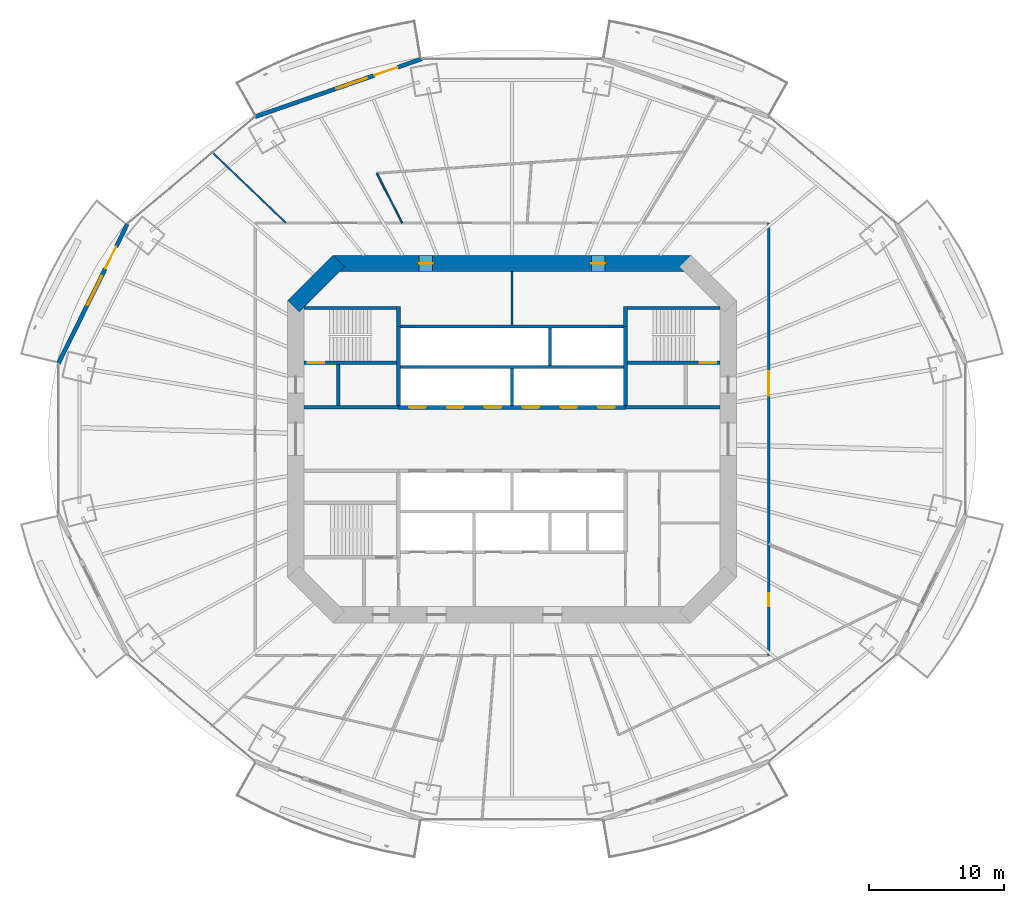
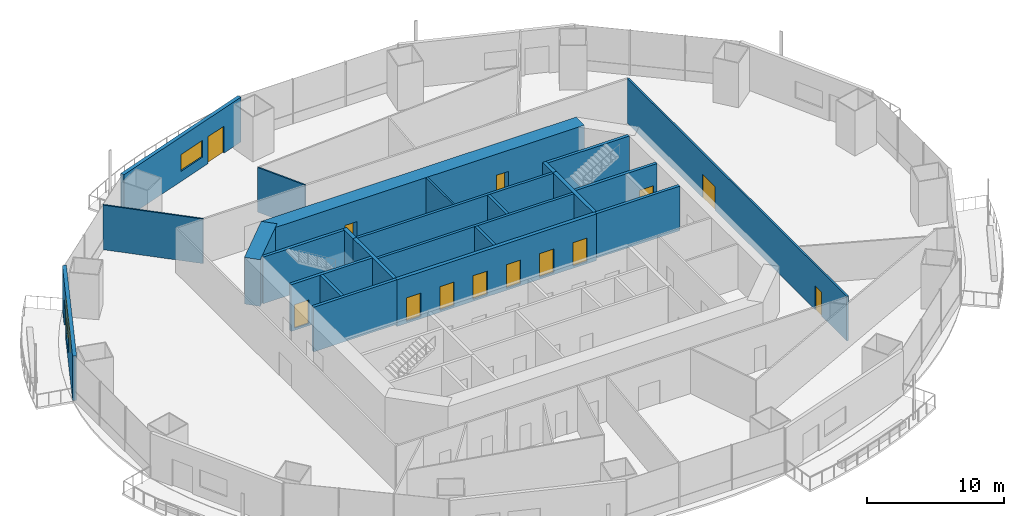
# One storey, part 15 of 22: 24 walls, 14 doors, 2 windows, 16 openings.
"""IFC4 building model written with IfcOpenShell, lengths in metres."""

from ifc_helpers import new_model, si_unit, direction, frame, frame_2d, origin, place, context, subcontext, project, spatial, rectangle, extrude, material, layer, layer_set, type_object, element, fill, save


model = new_model("IFC4")

# Units and contexts
model_context = context("Model", 3, precision=1e-05, world=origin(), true_north=direction((0.0, 1.0)))
body_context = subcontext(model_context, "Body", "Model", "MODEL_VIEW")
ifc_project = project(units=[si_unit("LENGTHUNIT", "METRE"), si_unit("AREAUNIT", "SQUARE_METRE"), si_unit("VOLUMEUNIT", "CUBIC_METRE"), si_unit("PLANEANGLEUNIT", "RADIAN"), si_unit("MASSUNIT", "GRAM", prefix="KILO")], contexts=[model_context])

# Site, building, storey
site_placement = place(None, origin())
site = spatial("IfcSite", under=ifc_project, at=site_placement, CompositionType="ELEMENT")
building_placement = place(site_placement, origin())
building = spatial("IfcBuilding", under=site, at=building_placement, Name="Marenthal Gate Tower", CompositionType="ELEMENT")
storey_placement = place(building_placement, frame((0.0, 0.0, 111.85009765625)))
storey = spatial("IfcBuildingStorey", under=building, at=storey_placement, Name="L23", CompositionType="ELEMENT", Elevation=111.85009765625)

# Wall, openings, doors
ifc_material_1 = material(Name="Concrete 60 MPa", Category="concrete")
ifc_layer_1 = layer(ifc_material_1, 1.199951171875)
ifc_layer_set_1 = layer_set([ifc_layer_1], Name="Core shear wall 1200")
wall_type_1 = type_object("IfcWallType", Name="Core shear wall 1200", PredefinedType="SHEAR", material=ifc_layer_set_1)
wall_1_placement = place(storey_placement, frame((13.24853515625, 13.0, -0.18017578125), z_axis=(0.0, 0.0, 1.0), x_axis=(-1.0, 0.0, 0.0)))
wall_1 = element("IfcWall", 1, at=wall_1_placement, inside=storey, type_object=wall_type_1, Name="Core wall 04", PredefinedType="SHEAR", context=body_context, shape_type="SweptSolid", body=[
    extrude(rectangle(XDim=26.4970703125, YDim=1.199951171875, at=frame_2d((13.24853515625, 0.0))), origin(), (0.0, 0.0, 1.0), 4.150146484375),
])
opening_1_placement = place(wall_1_placement, frame((19.12451171875, 0.0, 0.179931640625)))
opening_1 = element("IfcOpeningElement", 2, at=opening_1_placement, cuts=wall_1, Name="Opening D005.01", PredefinedType="OPENING", context=body_context, shape_type="SweptSolid", body=[
    extrude(rectangle(XDim=1.0, YDim=2.10009765625, at=frame_2d((0.5, 1.050048828125))), frame((0.0, 0.60986328125, 0.0), z_axis=(0.0, -1.0, 0.0), x_axis=(1.0, 0.0, 0.0)), (0.0, 0.0, 1.0), 1.219970703125),
])
opening_2_placement = place(wall_1_placement, frame((6.37255859375, 0.0, 0.179931640625)))
opening_2 = element("IfcOpeningElement", 3, at=opening_2_placement, cuts=wall_1, Name="Opening D005.02", PredefinedType="OPENING", context=body_context, shape_type="SweptSolid", body=[
    extrude(rectangle(XDim=1.0, YDim=2.10009765625, at=frame_2d((0.5, 1.050048828125))), frame((0.0, 0.60986328125, 0.0), z_axis=(0.0, -1.0, 0.0), x_axis=(1.0, 0.0, 0.0)), (0.0, 0.0, 1.0), 1.219970703125),
])
ifc_material_2 = material(Name="Steel fire door", Category="steel")
door_type_1 = type_object("IfcDoorType", Name="Fire door FD 45 1000 x 2100", OperationType="NOTDEFINED", PredefinedType="DOOR", material=ifc_material_2)
door_1_placement = place(opening_1_placement, origin())
door_1 = element("IfcDoor", 4, at=door_1_placement, inside=storey, type_object=door_type_1, Name="Door D005.01", OperationType="SINGLE_SWING_RIGHT", OverallHeight=2.10009765625, OverallWidth=1.0, PredefinedType="DOOR", context=body_context, shape_type="SweptSolid", body=[
    extrude(rectangle(XDim=1.0, YDim=2.10009765625, at=frame_2d((0.5, 1.050048828125))), frame((0.0, 0.02490234375, 0.0), z_axis=(0.0, -1.0, 0.0), x_axis=(1.0, 0.0, 0.0)), (0.0, 0.0, 1.0), 0.050048828125),
])
fill(opening_1, door_1)
door_2_placement = place(opening_2_placement, origin())
door_2 = element("IfcDoor", 5, at=door_2_placement, inside=storey, type_object=door_type_1, Name="Door D005.02", OperationType="SINGLE_SWING_RIGHT", OverallHeight=2.10009765625, OverallWidth=1.0, PredefinedType="DOOR", context=body_context, shape_type="SweptSolid", body=[
    extrude(rectangle(XDim=1.0, YDim=2.10009765625, at=frame_2d((0.5, 1.050048828125))), frame((0.0, 0.02490234375, 0.0), z_axis=(0.0, -1.0, 0.0), x_axis=(1.0, 0.0, 0.0)), (0.0, 0.0, 1.0), 0.050048828125),
])
fill(opening_2, door_2)

# Wall
wall_2_placement = place(storey_placement, frame((-12.82421875, 13.17578125, -0.18017578125), z_axis=(0.0, 0.0, 1.0), x_axis=(-0.707106781187, -0.707106781187, 0.0)))
element("IfcWall", 6, at=wall_2_placement, inside=storey, type_object=wall_type_1, Name="Core wall 05", PredefinedType="SHEAR", context=body_context, shape_type="SweptSolid", body=[
    extrude(rectangle(XDim=4.73974609375, YDim=1.199951171875, at=frame_2d((2.369873046875, 0.0))), origin(), (0.0, 0.0, 1.0), 4.150146484375),
])

# Wall, openings, doors
ifc_material_3 = material(Name="Concrete 50 MPa", Category="concrete")
ifc_layer_2 = layer(ifc_material_3, 0.300048828125)
ifc_layer_set_2 = layer_set([ifc_layer_2], Name="Hoistway shear wall 300")
wall_type_2 = type_object("IfcWallType", Name="Hoistway shear wall 300", PredefinedType="SHEAR", material=ifc_layer_set_2)
wall_3_placement = place(storey_placement, frame((-8.39990234375, 2.35009765625, -0.18017578125), z_axis=(0.0, 0.0, 1.0), x_axis=(1.0, 0.0, 0.0)))
wall_3 = element("IfcWall", 7, at=wall_3_placement, inside=storey, type_object=wall_type_2, Name="Hoistway wall 19", PredefinedType="SHEAR", context=body_context, shape_type="SweptSolid", body=[
    extrude(rectangle(XDim=16.7998046875, YDim=0.300048828125, at=frame_2d((8.39990234375, 0.0))), origin(), (0.0, 0.0, 1.0), 4.150146484375),
])
opening_3_placement = place(wall_3_placement, frame((0.800048828125, 0.0, 0.179931640625)))
opening_3 = element("IfcOpeningElement", 8, at=opening_3_placement, cuts=wall_3, Name="Opening LD-LP1", PredefinedType="OPENING", context=body_context, shape_type="SweptSolid", body=[
    extrude(rectangle(XDim=1.199951171875, YDim=2.10009765625, at=frame_2d((0.60009765625, 1.050048828125))), frame((0.0, 0.16015625, 0.0), z_axis=(0.0, -1.0, 0.0), x_axis=(1.0, 0.0, 0.0)), (0.0, 0.0, 1.0), 0.320068359375),
])
opening_4_placement = place(wall_3_placement, frame((3.60009765625, 0.0, 0.179931640625)))
opening_4 = element("IfcOpeningElement", 9, at=opening_4_placement, cuts=wall_3, Name="Opening LD-LP2", PredefinedType="OPENING", context=body_context, shape_type="SweptSolid", body=[
    extrude(rectangle(XDim=1.199951171875, YDim=2.10009765625, at=frame_2d((0.60009765625, 1.050048828125))), frame((0.0, 0.16015625, 0.0), z_axis=(0.0, -1.0, 0.0), x_axis=(1.0, 0.0, 0.0)), (0.0, 0.0, 1.0), 0.320068359375),
])
opening_5_placement = place(wall_3_placement, frame((6.39990234375, 0.0, 0.179931640625)))
opening_5 = element("IfcOpeningElement", 10, at=opening_5_placement, cuts=wall_3, Name="Opening LD-LP3", PredefinedType="OPENING", context=body_context, shape_type="SweptSolid", body=[
    extrude(rectangle(XDim=1.199951171875, YDim=2.10009765625, at=frame_2d((0.60009765625, 1.050048828125))), frame((0.0, 0.16015625, 0.0), z_axis=(0.0, -1.0, 0.0), x_axis=(1.0, 0.0, 0.0)), (0.0, 0.0, 1.0), 0.320068359375),
])
opening_6_placement = place(wall_3_placement, frame((9.199951171875, 0.0, 0.179931640625)))
opening_6 = element("IfcOpeningElement", 11, at=opening_6_placement, cuts=wall_3, Name="Opening LD-LP4", PredefinedType="OPENING", context=body_context, shape_type="SweptSolid", body=[
    extrude(rectangle(XDim=1.199951171875, YDim=2.10009765625, at=frame_2d((0.60009765625, 1.050048828125))), frame((0.0, 0.16015625, 0.0), z_axis=(0.0, -1.0, 0.0), x_axis=(1.0, 0.0, 0.0)), (0.0, 0.0, 1.0), 0.320068359375),
])
opening_7_placement = place(wall_3_placement, frame((12.0, 0.0, 0.179931640625)))
opening_7 = element("IfcOpeningElement", 12, at=opening_7_placement, cuts=wall_3, Name="Opening LD-LP5", PredefinedType="OPENING", context=body_context, shape_type="SweptSolid", body=[
    extrude(rectangle(XDim=1.199951171875, YDim=2.10009765625, at=frame_2d((0.60009765625, 1.050048828125))), frame((0.0, 0.16015625, 0.0), z_axis=(0.0, -1.0, 0.0), x_axis=(1.0, 0.0, 0.0)), (0.0, 0.0, 1.0), 0.320068359375),
])
opening_8_placement = place(wall_3_placement, frame((14.800048828125, 0.0, 0.179931640625)))
opening_8 = element("IfcOpeningElement", 13, at=opening_8_placement, cuts=wall_3, Name="Opening LD-LP6", PredefinedType="OPENING", context=body_context, shape_type="SweptSolid", body=[
    extrude(rectangle(XDim=1.199951171875, YDim=2.10009765625, at=frame_2d((0.60009765625, 1.050048828125))), frame((0.0, 0.16015625, 0.0), z_axis=(0.0, -1.0, 0.0), x_axis=(1.0, 0.0, 0.0)), (0.0, 0.0, 1.0), 0.320068359375),
])
ifc_material_4 = material(Name="Stainless steel sliding door", Category="steel")
door_type_2 = type_object("IfcDoorType", Name="Lift landing door FD 90 1200 x 2100", OperationType="DOUBLE_DOOR_SLIDING", PredefinedType="DOOR", material=ifc_material_4)
door_3_placement = place(opening_3_placement, origin())
door_3 = element("IfcDoor", 14, at=door_3_placement, inside=storey, type_object=door_type_2, Name="Lift landing door LP1", OperationType="DOUBLE_DOOR_SLIDING", OverallHeight=2.10009765625, OverallWidth=1.199951171875, PredefinedType="DOOR", context=body_context, shape_type="SweptSolid", body=[
    extrude(rectangle(XDim=1.199951171875, YDim=2.10009765625, at=frame_2d((0.60009765625, 1.050048828125))), frame((0.0, 0.02490234375, 0.0), z_axis=(0.0, -1.0, 0.0), x_axis=(1.0, 0.0, 0.0)), (0.0, 0.0, 1.0), 0.050048828125),
])
fill(opening_3, door_3)
door_4_placement = place(opening_4_placement, origin())
door_4 = element("IfcDoor", 15, at=door_4_placement, inside=storey, type_object=door_type_2, Name="Lift landing door LP2", OperationType="DOUBLE_DOOR_SLIDING", OverallHeight=2.10009765625, OverallWidth=1.199951171875, PredefinedType="DOOR", context=body_context, shape_type="SweptSolid", body=[
    extrude(rectangle(XDim=1.199951171875, YDim=2.10009765625, at=frame_2d((0.60009765625, 1.050048828125))), frame((0.0, 0.02490234375, 0.0), z_axis=(0.0, -1.0, 0.0), x_axis=(1.0, 0.0, 0.0)), (0.0, 0.0, 1.0), 0.050048828125),
])
fill(opening_4, door_4)
door_5_placement = place(opening_5_placement, origin())
door_5 = element("IfcDoor", 16, at=door_5_placement, inside=storey, type_object=door_type_2, Name="Lift landing door LP3", OperationType="DOUBLE_DOOR_SLIDING", OverallHeight=2.10009765625, OverallWidth=1.199951171875, PredefinedType="DOOR", context=body_context, shape_type="SweptSolid", body=[
    extrude(rectangle(XDim=1.199951171875, YDim=2.10009765625, at=frame_2d((0.60009765625, 1.050048828125))), frame((0.0, 0.02490234375, 0.0), z_axis=(0.0, -1.0, 0.0), x_axis=(1.0, 0.0, 0.0)), (0.0, 0.0, 1.0), 0.050048828125),
])
fill(opening_5, door_5)
door_6_placement = place(opening_6_placement, origin())
door_6 = element("IfcDoor", 17, at=door_6_placement, inside=storey, type_object=door_type_2, Name="Lift landing door LP4", OperationType="DOUBLE_DOOR_SLIDING", OverallHeight=2.10009765625, OverallWidth=1.199951171875, PredefinedType="DOOR", context=body_context, shape_type="SweptSolid", body=[
    extrude(rectangle(XDim=1.199951171875, YDim=2.10009765625, at=frame_2d((0.60009765625, 1.050048828125))), frame((0.0, 0.02490234375, 0.0), z_axis=(0.0, -1.0, 0.0), x_axis=(1.0, 0.0, 0.0)), (0.0, 0.0, 1.0), 0.050048828125),
])
fill(opening_6, door_6)
door_7_placement = place(opening_7_placement, origin())
door_7 = element("IfcDoor", 18, at=door_7_placement, inside=storey, type_object=door_type_2, Name="Lift landing door LP5", OperationType="DOUBLE_DOOR_SLIDING", OverallHeight=2.10009765625, OverallWidth=1.199951171875, PredefinedType="DOOR", context=body_context, shape_type="SweptSolid", body=[
    extrude(rectangle(XDim=1.199951171875, YDim=2.10009765625, at=frame_2d((0.60009765625, 1.050048828125))), frame((0.0, 0.02490234375, 0.0), z_axis=(0.0, -1.0, 0.0), x_axis=(1.0, 0.0, 0.0)), (0.0, 0.0, 1.0), 0.050048828125),
])
fill(opening_7, door_7)
door_8_placement = place(opening_8_placement, origin())
door_8 = element("IfcDoor", 19, at=door_8_placement, inside=storey, type_object=door_type_2, Name="Lift landing door LP6", OperationType="DOUBLE_DOOR_SLIDING", OverallHeight=2.10009765625, OverallWidth=1.199951171875, PredefinedType="DOOR", context=body_context, shape_type="SweptSolid", body=[
    extrude(rectangle(XDim=1.199951171875, YDim=2.10009765625, at=frame_2d((0.60009765625, 1.050048828125))), frame((0.0, 0.02490234375, 0.0), z_axis=(0.0, -1.0, 0.0), x_axis=(1.0, 0.0, 0.0)), (0.0, 0.0, 1.0), 0.050048828125),
])
fill(opening_8, door_8)

# Walls
for number, where, z_axis, x_axis, name in (
    (20, (-8.39990234375, 2.5, -0.18017578125), (0.0, 0.0, 1.0), (0.0, 1.0, 0.0), "Hoistway wall 31"),
    (21, (8.39990234375, 2.5, -0.18017578125), (0.0, 0.0, 1.0), (0.0, 1.0, 0.0), "Hoistway wall 43"),
):
    element("IfcWall", number, at=place(storey_placement, frame(where, z_axis=z_axis, x_axis=x_axis)), inside=storey, type_object=wall_type_2, Name=name, PredefinedType="SHEAR", context=body_context, shape_type="SweptSolid", body=[
        extrude(rectangle(XDim=5.85009765625, YDim=0.300048828125, at=frame_2d((2.925048828125, 0.0))), origin(), (0.0, 0.0, 1.0), 4.150146484375),
    ])
ifc_material_5 = material(Name="Concrete 40 MPa", Category="concrete")
ifc_layer_3 = layer(ifc_material_5, 0.219970703125)
ifc_layer_set_3 = layer_set([ifc_layer_3], Name="Hoistway wall 220")
wall_type_3 = type_object("IfcWallType", Name="Hoistway wall 220", PredefinedType="STANDARD", material=ifc_layer_set_3)
for number, where, z_axis, x_axis, name in (
    (22, (-8.25, 5.35009765625, 0.0), (0.0, 0.0, 1.0), (1.0, 0.0, 0.0), "Hoistway wall 21"),
    (23, (-8.25, 8.35009765625, 0.0), (0.0, 0.0, 1.0), (1.0, 0.0, 0.0), "Hoistway wall 24"),
):
    element("IfcWall", number, at=place(storey_placement, frame(where, z_axis=z_axis, x_axis=x_axis)), inside=storey, type_object=wall_type_3, Name=name, PredefinedType="STANDARD", context=body_context, shape_type="SweptSolid", body=[
        extrude(rectangle(XDim=16.5, YDim=0.219970703125, at=frame_2d((8.25, 0.0))), origin(), (0.0, 0.0, 1.0), 3.969970703125),
    ])
wall_4_placement = place(storey_placement, frame((0.0, 2.5, 0.0), z_axis=(0.0, 0.0, 1.0), x_axis=(0.0, 1.0, 0.0)))
element("IfcWall", 24, at=wall_4_placement, inside=storey, type_object=wall_type_3, Name="Hoistway wall 36", PredefinedType="STANDARD", context=body_context, shape_type="SweptSolid", body=[
    extrude(rectangle(XDim=2.739990234375, YDim=0.219970703125, at=frame_2d((1.3701171875, 0.0))), origin(), (0.0, 0.0, 1.0), 3.969970703125),
])
wall_5_placement = place(storey_placement, frame((2.800048828125, 5.4599609375, 0.0), z_axis=(0.0, 0.0, 1.0), x_axis=(0.0, 1.0, 0.0)))
element("IfcWall", 25, at=wall_5_placement, inside=storey, type_object=wall_type_3, Name="Hoistway wall 39", PredefinedType="STANDARD", context=body_context, shape_type="SweptSolid", body=[
    extrude(rectangle(XDim=2.780029296875, YDim=0.219970703125, at=frame_2d((1.39013671875, 0.0))), origin(), (0.0, 0.0, 1.0), 3.969970703125),
])
ifc_material_6 = material(Name="Gypsum board on steel studs", Category="steel")
ifc_layer_4 = layer(ifc_material_6, 0.1201171875)
ifc_layer_set_4 = layer_set([ifc_layer_4], Name="Partition 120")
wall_type_4 = type_object("IfcWallType", Name="Partition 120", PredefinedType="PARTITIONING", material=ifc_layer_set_4)
wall_6_placement = place(storey_placement, frame((-16.7255859375, 16.0, 0.0), z_axis=(0.0, 0.0, 1.0), x_axis=(-0.722599633889, 0.691266785767, 0.0)))
element("IfcWall", 26, at=wall_6_placement, inside=storey, type_object=wall_type_4, Name="Partition wall 51", PredefinedType="PARTITIONING", context=body_context, shape_type="SweptSolid", body=[
    extrude(rectangle(XDim=7.53466796875, YDim=0.1201171875, at=frame_2d((3.767333984375, 0.0))), origin(), (0.0, 0.0, 1.0), 3.969970703125),
])
wall_7_placement = place(storey_placement, frame((-10.001220703125, 19.67529296875, 0.0), z_axis=(0.0, 0.0, 1.0), x_axis=(0.45312545454, -0.891446758056, 0.0)))
element("IfcWall", 27, at=wall_7_placement, inside=storey, type_object=wall_type_4, Name="Partition wall 54", PredefinedType="PARTITIONING", context=body_context, shape_type="SweptSolid", body=[
    extrude(rectangle(XDim=4.122802734375, YDim=0.1201171875, at=frame_2d((2.0615234375, 0.0))), origin(), (0.0, 0.0, 1.0), 3.969970703125),
])
ifc_material_7 = material(Name="Gypsum board on steel studs", Category="steel")
ifc_layer_5 = layer(ifc_material_7, 0.14990234375)
ifc_layer_set_5 = layer_set([ifc_layer_5], Name="Partition 150")
wall_type_5 = type_object("IfcWallType", Name="Partition 150", PredefinedType="PARTITIONING", material=ifc_layer_set_5)
wall_8_placement = place(storey_placement, frame((0.0, 8.4599609375, 0.0), z_axis=(0.0, 0.0, 1.0), x_axis=(0.0, 1.0, 0.0)))
element("IfcWall", 28, at=wall_8_placement, inside=storey, type_object=wall_type_5, Name="Partition wall 37", PredefinedType="PARTITIONING", context=body_context, shape_type="SweptSolid", body=[
    extrude(rectangle(XDim=3.93994140625, YDim=0.14990234375, at=frame_2d((1.969970703125, 0.0))), origin(), (0.0, 0.0, 1.0), 3.969970703125),
])

# Wall, openings, doors
wall_9_placement = place(storey_placement, frame((19.0, 16.0, 0.0), z_axis=(0.0, 0.0, 1.0), x_axis=(0.0, -1.0, 0.0)))
wall_9 = element("IfcWall", 29, at=wall_9_placement, inside=storey, type_object=wall_type_5, Name="Partition wall 66", PredefinedType="PARTITIONING", context=body_context, shape_type="SweptSolid", body=[
    extrude(rectangle(XDim=32.0, YDim=0.14990234375, at=frame_2d((16.0, 0.0))), origin(), (0.0, 0.0, 1.0), 3.969970703125),
])
opening_9_placement = place(wall_9_placement, frame((27.406005859375, 0.0, 0.0)))
opening_9 = element("IfcOpeningElement", 30, at=opening_9_placement, cuts=wall_9, Name="Opening D016.09", PredefinedType="OPENING", context=body_context, shape_type="SweptSolid", body=[
    extrude(rectangle(XDim=0.949951171875, YDim=2.10009765625, at=frame_2d((0.47509765625, 1.050048828125))), frame((0.0, 0.0849609375, 0.0), z_axis=(0.0, -1.0, 0.0), x_axis=(1.0, 0.0, 0.0)), (0.0, 0.0, 1.0), 0.169921875),
])
opening_10_placement = place(wall_9_placement, frame((10.98193359375, 0.0, 0.0)))
opening_10 = element("IfcOpeningElement", 31, at=opening_10_placement, cuts=wall_9, Name="Opening D014.04", PredefinedType="OPENING", context=body_context, shape_type="SweptSolid", body=[
    extrude(rectangle(XDim=1.800048828125, YDim=2.10009765625, at=frame_2d((0.89990234375, 1.050048828125))), frame((0.0, 0.0849609375, 0.0), z_axis=(0.0, -1.0, 0.0), x_axis=(1.0, 0.0, 0.0)), (0.0, 0.0, 1.0), 0.169921875),
])
ifc_material_8 = material(Name="Timber door", Category="wood")
door_type_3 = type_object("IfcDoorType", Name="Door 950 x 2100", OperationType="NOTDEFINED", PredefinedType="DOOR", material=ifc_material_8)
door_9_placement = place(opening_9_placement, origin())
door_9 = element("IfcDoor", 32, at=door_9_placement, inside=storey, type_object=door_type_3, Name="Door D016.09", OperationType="SINGLE_SWING_RIGHT", OverallHeight=2.10009765625, OverallWidth=0.949951171875, PredefinedType="DOOR", context=body_context, shape_type="SweptSolid", body=[
    extrude(rectangle(XDim=0.949951171875, YDim=2.10009765625, at=frame_2d((0.47509765625, 1.050048828125))), frame((0.0, 0.02490234375, 0.0), z_axis=(0.0, -1.0, 0.0), x_axis=(1.0, 0.0, 0.0)), (0.0, 0.0, 1.0), 0.050048828125),
])
fill(opening_9, door_9)
ifc_material_9 = material(Name="Timber door", Category="wood")
door_type_4 = type_object("IfcDoorType", Name="Double door 1800 x 2100", OperationType="DOUBLE_DOOR_SINGLE_SWING", PredefinedType="DOOR", material=ifc_material_9)
door_10_placement = place(opening_10_placement, origin())
door_10 = element("IfcDoor", 33, at=door_10_placement, inside=storey, type_object=door_type_4, Name="Door D014.04", OperationType="DOUBLE_DOOR_SINGLE_SWING", OverallHeight=2.10009765625, OverallWidth=1.800048828125, PredefinedType="DOOR", context=body_context, shape_type="SweptSolid", body=[
    extrude(rectangle(XDim=1.800048828125, YDim=2.10009765625, at=frame_2d((0.89990234375, 1.050048828125))), frame((0.0, 0.02490234375, 0.0), z_axis=(0.0, -1.0, 0.0), x_axis=(1.0, 0.0, 0.0)), (0.0, 0.0, 1.0), 0.050048828125),
])
fill(opening_10, door_10)

# Walls
ifc_material_10 = material(Name="Concrete 40 MPa", Category="concrete")
ifc_layer_6 = layer(ifc_material_10, 0.25)
ifc_layer_set_6 = layer_set([ifc_layer_6], Name="Stair enclosure wall 250")
wall_type_6 = type_object("IfcWallType", Name="Stair enclosure wall 250", PredefinedType="STANDARD", material=ifc_layer_set_6)
for number, where, z_axis, x_axis, name in (
    (34, (-15.39990234375, 2.35009765625, 0.0), (0.0, 0.0, 1.0), (1.0, 0.0, 0.0), "Stair wall 18"),
    (35, (8.39990234375, 2.35009765625, 0.0), (0.0, 0.0, 1.0), (1.0, 0.0, 0.0), "Stair wall 20"),
):
    element("IfcWall", number, at=place(storey_placement, frame(where, z_axis=z_axis, x_axis=x_axis)), inside=storey, type_object=wall_type_6, Name=name, PredefinedType="STANDARD", context=body_context, shape_type="SweptSolid", body=[
        extrude(rectangle(XDim=7.0, YDim=0.25, at=frame_2d((3.5, 0.0))), origin(), (0.0, 0.0, 1.0), 3.969970703125),
    ])
wall_10_placement = place(storey_placement, frame((-12.85009765625, 2.47509765625, 0.0), z_axis=(0.0, 0.0, 1.0), x_axis=(0.0, 1.0, 0.0)))
element("IfcWall", 36, at=wall_10_placement, inside=storey, type_object=wall_type_6, Name="Stair wall 27", PredefinedType="STANDARD", context=body_context, shape_type="SweptSolid", body=[
    extrude(rectangle(XDim=3.0498046875, YDim=0.25, at=frame_2d((1.52490234375, 0.0))), origin(), (0.0, 0.0, 1.0), 3.969970703125),
])

# Wall, opening, door
ifc_material_11 = material(Name="Concrete 50 MPa", Category="concrete")
ifc_layer_7 = layer(ifc_material_11, 0.25)
ifc_layer_set_7 = layer_set([ifc_layer_7], Name="Stair shear wall 250")
wall_type_7 = type_object("IfcWallType", Name="Stair shear wall 250", PredefinedType="SHEAR", material=ifc_layer_set_7)
wall_11_placement = place(storey_placement, frame((-15.39990234375, 5.64990234375, -0.18017578125), z_axis=(0.0, 0.0, 1.0), x_axis=(1.0, 0.0, 0.0)))
wall_11 = element("IfcWall", 37, at=wall_11_placement, inside=storey, type_object=wall_type_7, Name="Stair wall 22", PredefinedType="SHEAR", context=body_context, shape_type="SweptSolid", body=[
    extrude(rectangle(XDim=6.849853515625, YDim=0.25, at=frame_2d((3.4248046875, 0.0))), origin(), (0.0, 0.0, 1.0), 4.150146484375),
])
opening_11_placement = place(wall_11_placement, frame((0.300048828125, 0.0, 0.179931640625)))
opening_11 = element("IfcOpeningElement", 38, at=opening_11_placement, cuts=wall_11, Name="Opening D001.01", PredefinedType="OPENING", context=body_context, shape_type="SweptSolid", body=[
    extrude(rectangle(XDim=1.199951171875, YDim=2.10009765625, at=frame_2d((0.60009765625, 1.050048828125))), frame((0.0, 0.135009765625, 0.0), z_axis=(0.0, -1.0, 0.0), x_axis=(1.0, 0.0, 0.0)), (0.0, 0.0, 1.0), 0.27001953125),
])
ifc_material_12 = material(Name="Steel fire door", Category="steel")
door_type_5 = type_object("IfcDoorType", Name="Fire door FD 90 1200 x 2100", OperationType="NOTDEFINED", PredefinedType="DOOR", material=ifc_material_12)
door_11_placement = place(opening_11_placement, origin())
door_11 = element("IfcDoor", 39, at=door_11_placement, inside=storey, type_object=door_type_5, Name="Door D001.01", OperationType="SINGLE_SWING_RIGHT", OverallHeight=2.10009765625, OverallWidth=1.199951171875, PredefinedType="DOOR", context=body_context, shape_type="SweptSolid", body=[
    extrude(rectangle(XDim=1.199951171875, YDim=2.10009765625, at=frame_2d((0.60009765625, 1.050048828125))), frame((0.0, 0.02490234375, 0.0), z_axis=(0.0, -1.0, 0.0), x_axis=(1.0, 0.0, 0.0)), (0.0, 0.0, 1.0), 0.050048828125),
])
fill(opening_11, door_11)

wall_12_placement = place(storey_placement, frame((8.550048828125, 5.64990234375, -0.18017578125), z_axis=(0.0, 0.0, 1.0), x_axis=(1.0, 0.0, 0.0)))
wall_12 = element("IfcWall", 40, at=wall_12_placement, inside=storey, type_object=wall_type_7, Name="Stair wall 23", PredefinedType="SHEAR", context=body_context, shape_type="SweptSolid", body=[
    extrude(rectangle(XDim=6.849853515625, YDim=0.25, at=frame_2d((3.4248046875, 0.0))), origin(), (0.0, 0.0, 1.0), 4.150146484375),
])
opening_12_placement = place(wall_12_placement, frame((5.35009765625, 0.0, 0.179931640625)))
opening_12 = element("IfcOpeningElement", 41, at=opening_12_placement, cuts=wall_12, Name="Opening D001.02", PredefinedType="OPENING", context=body_context, shape_type="SweptSolid", body=[
    extrude(rectangle(XDim=1.199951171875, YDim=2.10009765625, at=frame_2d((0.60009765625, 1.050048828125))), frame((0.0, 0.135009765625, 0.0), z_axis=(0.0, -1.0, 0.0), x_axis=(1.0, 0.0, 0.0)), (0.0, 0.0, 1.0), 0.27001953125),
])
door_12_placement = place(opening_12_placement, origin())
door_12 = element("IfcDoor", 42, at=door_12_placement, inside=storey, type_object=door_type_5, Name="Door D001.02", OperationType="SINGLE_SWING_RIGHT", OverallHeight=2.10009765625, OverallWidth=1.199951171875, PredefinedType="DOOR", context=body_context, shape_type="SweptSolid", body=[
    extrude(rectangle(XDim=1.199951171875, YDim=2.10009765625, at=frame_2d((0.60009765625, 1.050048828125))), frame((0.0, 0.02490234375, 0.0), z_axis=(0.0, -1.0, 0.0), x_axis=(1.0, 0.0, 0.0)), (0.0, 0.0, 1.0), 0.050048828125),
])
fill(opening_12, door_12)

# Walls
for number, where, z_axis, x_axis, name in (
    (43, (-15.39990234375, 9.699951171875, -0.18017578125), (0.0, 0.0, 1.0), (1.0, 0.0, 0.0), "Stair wall 25"),
    (44, (8.550048828125, 9.699951171875, -0.18017578125), (0.0, 0.0, 1.0), (1.0, 0.0, 0.0), "Stair wall 26"),
):
    element("IfcWall", number, at=place(storey_placement, frame(where, z_axis=z_axis, x_axis=x_axis)), inside=storey, type_object=wall_type_7, Name=name, PredefinedType="SHEAR", context=body_context, shape_type="SweptSolid", body=[
        extrude(rectangle(XDim=6.849853515625, YDim=0.25, at=frame_2d((3.4248046875, 0.0))), origin(), (0.0, 0.0, 1.0), 4.150146484375),
    ])
ifc_material_13 = material(Name="Concrete 50 MPa", Category="concrete")
ifc_layer_8 = layer(ifc_material_13, 0.300048828125)
ifc_layer_set_8 = layer_set([ifc_layer_8], Name="Stair shear wall 300")
wall_type_8 = type_object("IfcWallType", Name="Stair shear wall 300", PredefinedType="SHEAR", material=ifc_layer_set_8)
for number, where, z_axis, x_axis, name in (
    (45, (-8.39990234375, 8.35009765625, -0.18017578125), (0.0, 0.0, 1.0), (0.0, 1.0, 0.0), "Stair wall 32"),
    (46, (8.39990234375, 8.35009765625, -0.18017578125), (0.0, 0.0, 1.0), (0.0, 1.0, 0.0), "Stair wall 44"),
):
    element("IfcWall", number, at=place(storey_placement, frame(where, z_axis=z_axis, x_axis=x_axis)), inside=storey, type_object=wall_type_8, Name=name, PredefinedType="SHEAR", context=body_context, shape_type="SweptSolid", body=[
        extrude(rectangle(XDim=1.474853515625, YDim=0.300048828125, at=frame_2d((0.7373046875, 0.0))), origin(), (0.0, 0.0, 1.0), 4.150146484375),
    ])

# Wall, openings, door, window
ifc_material_14 = material(Name="Terracotta cladding on insulated concrete-block backing", Category="masonry")
ifc_layer_9 = layer(ifc_material_14, 0.300048828125)
ifc_layer_set_9 = layer_set([ifc_layer_9], Name="Terracotta facade wall 300")
wall_type_9 = type_object("IfcWallType", Name="Terracotta facade wall 300", PredefinedType="SOLIDWALL", material=ifc_layer_set_9)
wall_13_placement = place(storey_placement, frame((-6.67724609375, 28.13671875, 0.0), z_axis=(0.0, 0.0, 1.0), x_axis=(-0.944684524645, -0.327980409318, 0.0)))
wall_13 = element("IfcWall", 47, at=wall_13_placement, inside=storey, type_object=wall_type_9, Name="Terracotta facade wall L23 bay 5", PredefinedType="SOLIDWALL", context=body_context, shape_type="SweptSolid", body=[
    extrude(rectangle(XDim=13.06005859375, YDim=0.300048828125, at=frame_2d((6.530029296875, 0.0))), origin(), (0.0, 0.0, 1.0), 3.969970703125),
])
opening_13_placement = place(wall_13_placement, frame((1.89990234375, 0.0, 0.0)))
opening_13 = element("IfcOpeningElement", 48, at=opening_13_placement, cuts=wall_13, Name="Opening BD-L23-05", PredefinedType="OPENING", context=body_context, shape_type="SweptSolid", body=[
    extrude(rectangle(XDim=1.800048828125, YDim=2.39990234375, at=frame_2d((0.89990234375, 1.199951171875))), frame((0.0, 0.16015625, 0.0), z_axis=(0.0, -1.0, 0.0), x_axis=(1.0, 0.0, 0.0)), (0.0, 0.0, 1.0), 0.320068359375),
])
opening_14_placement = place(wall_13_placement, frame((4.300048828125, 0.0, 0.89990234375)))
opening_14 = element("IfcOpeningElement", 49, at=opening_14_placement, cuts=wall_13, Name="Opening WN1-L23-05", PredefinedType="OPENING", context=body_context, shape_type="SweptSolid", body=[
    extrude(rectangle(XDim=2.39990234375, YDim=1.5, at=frame_2d((1.199951171875, 0.75))), frame((0.0, 0.16015625, 0.0), z_axis=(0.0, -1.0, 0.0), x_axis=(1.0, 0.0, 0.0)), (0.0, 0.0, 1.0), 0.320068359375),
])
ifc_material_15 = material(Name="Aluminium and glass", Category="aluminium")
door_type_6 = type_object("IfcDoorType", Name="Balcony door 1800x2400", OperationType="DOUBLE_DOOR_SINGLE_SWING", PredefinedType="DOOR", material=ifc_material_15)
door_13_placement = place(opening_13_placement, origin())
door_13 = element("IfcDoor", 50, at=door_13_placement, inside=storey, type_object=door_type_6, Name="Balcony door L23 bay 5", OperationType="SINGLE_SWING_LEFT", OverallHeight=2.39990234375, OverallWidth=1.800048828125, PredefinedType="DOOR", context=body_context, shape_type="SweptSolid", body=[
    extrude(rectangle(XDim=1.800048828125, YDim=2.39990234375, at=frame_2d((0.89990234375, 1.199951171875))), frame((0.0, 0.02490234375, 0.0), z_axis=(0.0, -1.0, 0.0), x_axis=(1.0, 0.0, 0.0)), (0.0, 0.0, 1.0), 0.050048828125),
])
fill(opening_13, door_13)
ifc_material_16 = material(Name="Aluminium and glass", Category="aluminium")
window_type = type_object("IfcWindowType", Name="Window 2400x1500", PartitioningType="TRIPLE_PANEL_VERTICAL", PredefinedType="WINDOW", material=ifc_material_16)
window_1_placement = place(opening_14_placement, origin())
window_1 = element("IfcWindow", 51, at=window_1_placement, inside=storey, type_object=window_type, Name="Window L23 bay 5", OverallHeight=1.5, OverallWidth=2.39990234375, PartitioningType="SINGLE_PANEL", PredefinedType="WINDOW", context=body_context, shape_type="SweptSolid", body=[
    extrude(rectangle(XDim=2.39990234375, YDim=1.5, at=frame_2d((1.199951171875, 0.75))), frame((0.0, 0.030029296875, 0.0), z_axis=(0.0, -1.0, 0.0), x_axis=(1.0, 0.0, 0.0)), (0.0, 0.0, 1.0), 0.06005859375),
])
fill(opening_14, window_1)

wall_14_placement = place(storey_placement, frame((-28.4580078125, 15.938232421875, 0.0), z_axis=(0.0, 0.0, 1.0), x_axis=(-0.443026495864, -0.896508518622, 0.0)))
wall_14 = element("IfcWall", 52, at=wall_14_placement, inside=storey, type_object=wall_type_9, Name="Terracotta facade wall L23 bay 7", PredefinedType="SOLIDWALL", context=body_context, shape_type="SweptSolid", body=[
    extrude(rectangle(XDim=11.53515625, YDim=0.300048828125, at=frame_2d((5.767578125, 0.0))), origin(), (0.0, 0.0, 1.0), 3.969970703125),
])
opening_15_placement = place(wall_14_placement, frame((1.89990234375, 0.0, 0.0)))
opening_15 = element("IfcOpeningElement", 53, at=opening_15_placement, cuts=wall_14, Name="Opening BD-L23-07", PredefinedType="OPENING", context=body_context, shape_type="SweptSolid", body=[
    extrude(rectangle(XDim=1.800048828125, YDim=2.39990234375, at=frame_2d((0.89990234375, 1.199951171875))), frame((0.0, 0.16015625, 0.0), z_axis=(0.0, -1.0, 0.0), x_axis=(1.0, 0.0, 0.0)), (0.0, 0.0, 1.0), 0.320068359375),
])
opening_16_placement = place(wall_14_placement, frame((4.300048828125, 0.0, 0.89990234375)))
opening_16 = element("IfcOpeningElement", 54, at=opening_16_placement, cuts=wall_14, Name="Opening WN1-L23-07", PredefinedType="OPENING", context=body_context, shape_type="SweptSolid", body=[
    extrude(rectangle(XDim=2.39990234375, YDim=1.5, at=frame_2d((1.199951171875, 0.75))), frame((0.0, 0.16015625, 0.0), z_axis=(0.0, -1.0, 0.0), x_axis=(1.0, 0.0, 0.0)), (0.0, 0.0, 1.0), 0.320068359375),
])
door_14_placement = place(opening_15_placement, origin())
door_14 = element("IfcDoor", 55, at=door_14_placement, inside=storey, type_object=door_type_6, Name="Balcony door L23 bay 7", OperationType="SINGLE_SWING_LEFT", OverallHeight=2.39990234375, OverallWidth=1.800048828125, PredefinedType="DOOR", context=body_context, shape_type="SweptSolid", body=[
    extrude(rectangle(XDim=1.800048828125, YDim=2.39990234375, at=frame_2d((0.89990234375, 1.199951171875))), frame((0.0, 0.02490234375, 0.0), z_axis=(0.0, -1.0, 0.0), x_axis=(1.0, 0.0, 0.0)), (0.0, 0.0, 1.0), 0.050048828125),
])
fill(opening_15, door_14)
window_2_placement = place(opening_16_placement, origin())
window_2 = element("IfcWindow", 56, at=window_2_placement, inside=storey, type_object=window_type, Name="Window L23 bay 7", OverallHeight=1.5, OverallWidth=2.39990234375, PartitioningType="SINGLE_PANEL", PredefinedType="WINDOW", context=body_context, shape_type="SweptSolid", body=[
    extrude(rectangle(XDim=2.39990234375, YDim=1.5, at=frame_2d((1.199951171875, 0.75))), frame((0.0, 0.030029296875, 0.0), z_axis=(0.0, -1.0, 0.0), x_axis=(1.0, 0.0, 0.0)), (0.0, 0.0, 1.0), 0.06005859375),
])
fill(opening_16, window_2)

save(model, "model.ifc")
